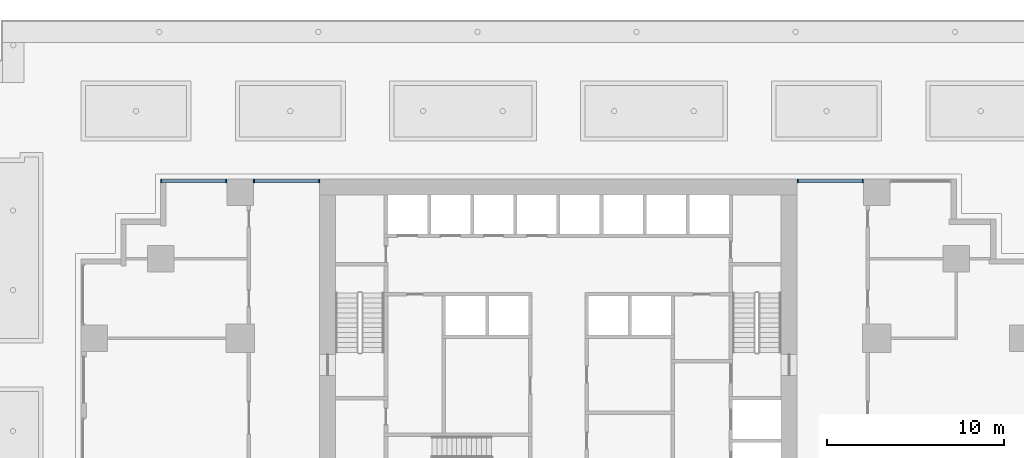
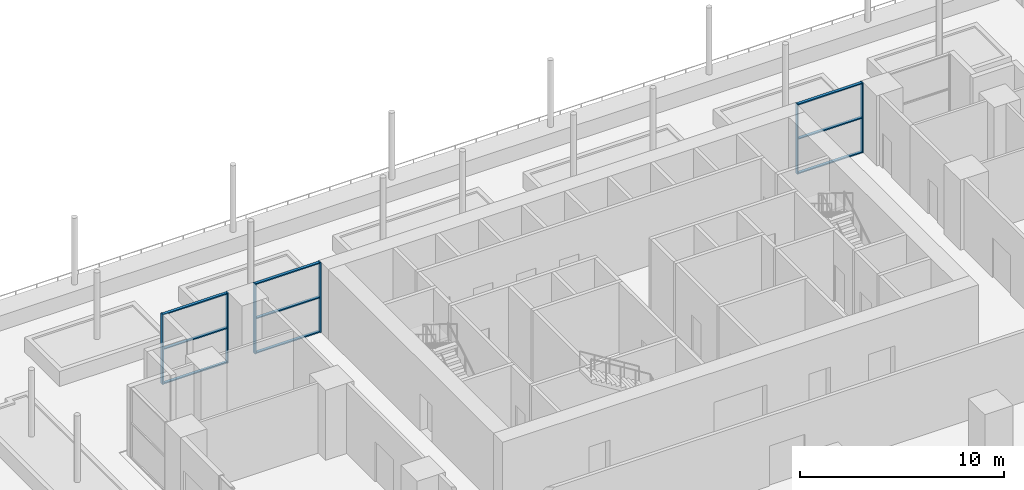
# One storey, part 6 of 18: 15 members, 3 elements without a shape of their own.
"""IFC4 building model written with IfcOpenShell, lengths in metres."""

from ifc_helpers import new_model, si_unit, direction, frame, origin, origin_2d, place, context, subcontext, project, spatial, rectangle, extrude, material, material_profile, profile_set, type_object, element, aggregate, save


model = new_model("IFC4")

# Units and contexts
model_context = context("Model", 3, precision=1e-05, world=origin(), true_north=direction((0.0, 1.0)))
body_context = subcontext(model_context, "Body", "Model", "MODEL_VIEW")
ifc_project = project(units=[si_unit("LENGTHUNIT", "METRE"), si_unit("AREAUNIT", "SQUARE_METRE"), si_unit("VOLUMEUNIT", "CUBIC_METRE"), si_unit("PLANEANGLEUNIT", "RADIAN"), si_unit("MASSUNIT", "GRAM", prefix="KILO")], contexts=[model_context])

# Site, building, storey
site_placement = place(None, origin())
site = spatial("IfcSite", under=ifc_project, at=site_placement, CompositionType="ELEMENT")
building_placement = place(site_placement, origin())
building = spatial("IfcBuilding", under=site, at=building_placement, Name="Orbiselva Terraces", CompositionType="ELEMENT")
storey_placement = place(building_placement, frame((0.0, 0.0, 10.5)))
storey = spatial("IfcBuildingStorey", under=building, at=storey_placement, Name="L02", CompositionType="ELEMENT", Elevation=10.5)

# Curtain wall, members
ifc_material_1 = material(Name="Clear low-e glazing in aluminium frame", Category="aluminium")
curtain_wall_type = type_object("IfcCurtainWallType", Name="ENV-CW-PAVILION", PredefinedType="NOTDEFINED", material=ifc_material_1)
curtain_wall_1_placement = place(storey_placement, origin())
curtain_wall_1 = element("IfcCurtainWall", 1, at=curtain_wall_1_placement, inside=storey, type_object=curtain_wall_type, Name="Curtain wall L02 NE", PredefinedType="NOTDEFINED")
ifc_material_2 = material(Name="Anodised aluminium", Category="aluminium")
ifc_material_profile_1 = material_profile(ifc_material_2, rectangle(XDim=0.2, YDim=0.065, at=origin_2d()), Name="AL 65x200")
ifc_profile_set_1 = profile_set([ifc_material_profile_1], Name="Anodised aluminium")
member_type_1 = type_object("IfcMemberType", Name="ENV-CW-PAVILION-MULLION-65x200", PredefinedType="MULLION", material=ifc_profile_set_1)
member_1_placement = place(storey_placement, frame((17.2175, 22.4, 0.0), z_axis=(0.0, 0.0, 1.0), x_axis=(0.0, -1.0, 0.0)))
member_1 = element("IfcMember", 2, at=member_1_placement, type_object=member_type_1, Name="CW2 mullion 1", PredefinedType="MULLION", context=body_context, shape_type="SweptSolid", body=[
    extrude(rectangle(XDim=0.2, YDim=0.065, at=origin_2d()), origin(), (0.0, 0.0, 1.0), 4.2),
])
member_2_placement = place(storey_placement, frame((13.5325, 22.4, 0.0), z_axis=(0.0, 0.0, 1.0), x_axis=(0.0, -1.0, 0.0)))
member_2 = element("IfcMember", 3, at=member_2_placement, type_object=member_type_1, Name="CW2 mullion 2", PredefinedType="MULLION", context=body_context, shape_type="SweptSolid", body=[
    extrude(rectangle(XDim=0.2, YDim=0.065, at=origin_2d()), origin(), (0.0, 0.0, 1.0), 4.2),
])

curtain_wall_2_placement = place(storey_placement, origin())
curtain_wall_2 = element("IfcCurtainWall", 4, at=curtain_wall_2_placement, inside=storey, type_object=curtain_wall_type, Name="Curtain wall L02 NW", PredefinedType="NOTDEFINED")
member_3_placement = place(storey_placement, frame((-13.5325, 22.4, 0.0), z_axis=(0.0, 0.0, 1.0), x_axis=(0.0, -1.0, 0.0)))
member_3 = element("IfcMember", 5, at=member_3_placement, type_object=member_type_1, Name="CW2 mullion 1", PredefinedType="MULLION", context=body_context, shape_type="SweptSolid", body=[
    extrude(rectangle(XDim=0.2, YDim=0.065, at=origin_2d()), origin(), (0.0, 0.0, 1.0), 4.2),
])
member_4_placement = place(storey_placement, frame((-17.2175, 22.4, 0.0), z_axis=(0.0, 0.0, 1.0), x_axis=(0.0, -1.0, 0.0)))
member_4 = element("IfcMember", 6, at=member_4_placement, type_object=member_type_1, Name="CW2 mullion 2", PredefinedType="MULLION", context=body_context, shape_type="SweptSolid", body=[
    extrude(rectangle(XDim=0.2, YDim=0.065, at=origin_2d()), origin(), (0.0, 0.0, 1.0), 4.2),
])

curtain_wall_3_placement = place(storey_placement, origin())
curtain_wall_3 = element("IfcCurtainWall", 7, at=curtain_wall_3_placement, inside=storey, type_object=curtain_wall_type, Name="Curtain wall L02 NW", PredefinedType="NOTDEFINED")
member_5_placement = place(storey_placement, frame((-18.7825, 22.4, 0.0), z_axis=(0.0, 0.0, 1.0), x_axis=(0.0, -1.0, 0.0)))
member_5 = element("IfcMember", 8, at=member_5_placement, type_object=member_type_1, Name="CW2 mullion 1", PredefinedType="MULLION", context=body_context, shape_type="SweptSolid", body=[
    extrude(rectangle(XDim=0.2, YDim=0.065, at=origin_2d()), origin(), (0.0, 0.0, 1.0), 4.2),
])
member_6_placement = place(storey_placement, frame((-22.4675, 22.4, 0.0), z_axis=(0.0, 0.0, 1.0), x_axis=(0.0, -1.0, 0.0)))
member_6 = element("IfcMember", 9, at=member_6_placement, type_object=member_type_1, Name="CW2 mullion 2", PredefinedType="MULLION", context=body_context, shape_type="SweptSolid", body=[
    extrude(rectangle(XDim=0.2, YDim=0.065, at=origin_2d()), origin(), (0.0, 0.0, 1.0), 4.2),
])

# Member
ifc_material_profile_2 = material_profile(ifc_material_2, rectangle(XDim=0.16, YDim=0.065, at=origin_2d()), Name="AL 65x160")
ifc_profile_set_2 = profile_set([ifc_material_profile_2], Name="Anodised aluminium")
member_type_2 = type_object("IfcMemberType", Name="ENV-CW-PAVILION-TRANSOM-65x160", PredefinedType="USERDEFINED", material=ifc_profile_set_2)
member_7_placement = place(storey_placement, frame((17.185, 22.4, 0.0325), z_axis=(-1.0, 0.0, 0.0), x_axis=(0.0, -1.0, 0.0)))
member_7 = element("IfcMember", 10, at=member_7_placement, type_object=member_type_2, Name="CW2 transom 1.1", ObjectType="TRANSOM", PredefinedType="USERDEFINED", context=body_context, shape_type="SweptSolid", body=[
    extrude(rectangle(XDim=0.16, YDim=0.065, at=origin_2d()), origin(), (0.0, 0.0, 1.0), 3.62),
])

member_8_placement = place(storey_placement, frame((17.185, 22.4, 2.1), z_axis=(-1.0, 0.0, 0.0), x_axis=(0.0, -1.0, 0.0)))
member_8 = element("IfcMember", 11, at=member_8_placement, type_object=member_type_2, Name="CW2 transom 1.2", ObjectType="TRANSOM", PredefinedType="USERDEFINED", context=body_context, shape_type="SweptSolid", body=[
    extrude(rectangle(XDim=0.16, YDim=0.065, at=origin_2d()), origin(), (0.0, 0.0, 1.0), 3.62),
])

member_9_placement = place(storey_placement, frame((17.185, 22.4, 4.1675), z_axis=(-1.0, 0.0, 0.0), x_axis=(0.0, -1.0, 0.0)))
member_9 = element("IfcMember", 12, at=member_9_placement, type_object=member_type_2, Name="CW2 transom 1.3", ObjectType="TRANSOM", PredefinedType="USERDEFINED", context=body_context, shape_type="SweptSolid", body=[
    extrude(rectangle(XDim=0.16, YDim=0.065, at=origin_2d()), origin(), (0.0, 0.0, 1.0), 3.62),
])

aggregate(curtain_wall_1, [member_1, member_2, member_7, member_8, member_9])

member_10_placement = place(storey_placement, frame((-13.565, 22.4, 0.0325), z_axis=(-1.0, 0.0, 0.0), x_axis=(0.0, -1.0, 0.0)))
member_10 = element("IfcMember", 13, at=member_10_placement, type_object=member_type_2, Name="CW2 transom 1.1", ObjectType="TRANSOM", PredefinedType="USERDEFINED", context=body_context, shape_type="SweptSolid", body=[
    extrude(rectangle(XDim=0.16, YDim=0.065, at=origin_2d()), origin(), (0.0, 0.0, 1.0), 3.62),
])

member_11_placement = place(storey_placement, frame((-13.565, 22.4, 2.1), z_axis=(-1.0, 0.0, 0.0), x_axis=(0.0, -1.0, 0.0)))
member_11 = element("IfcMember", 14, at=member_11_placement, type_object=member_type_2, Name="CW2 transom 1.2", ObjectType="TRANSOM", PredefinedType="USERDEFINED", context=body_context, shape_type="SweptSolid", body=[
    extrude(rectangle(XDim=0.16, YDim=0.065, at=origin_2d()), origin(), (0.0, 0.0, 1.0), 3.62),
])

member_12_placement = place(storey_placement, frame((-13.565, 22.4, 4.1675), z_axis=(-1.0, 0.0, 0.0), x_axis=(0.0, -1.0, 0.0)))
member_12 = element("IfcMember", 15, at=member_12_placement, type_object=member_type_2, Name="CW2 transom 1.3", ObjectType="TRANSOM", PredefinedType="USERDEFINED", context=body_context, shape_type="SweptSolid", body=[
    extrude(rectangle(XDim=0.16, YDim=0.065, at=origin_2d()), origin(), (0.0, 0.0, 1.0), 3.62),
])

aggregate(curtain_wall_2, [member_3, member_4, member_10, member_11, member_12])

member_13_placement = place(storey_placement, frame((-18.815, 22.4, 0.0325), z_axis=(-1.0, 0.0, 0.0), x_axis=(0.0, -1.0, 0.0)))
member_13 = element("IfcMember", 16, at=member_13_placement, type_object=member_type_2, Name="CW2 transom 1.1", ObjectType="TRANSOM", PredefinedType="USERDEFINED", context=body_context, shape_type="SweptSolid", body=[
    extrude(rectangle(XDim=0.16, YDim=0.065, at=origin_2d()), origin(), (0.0, 0.0, 1.0), 3.62),
])

member_14_placement = place(storey_placement, frame((-18.815, 22.4, 2.1), z_axis=(-1.0, 0.0, 0.0), x_axis=(0.0, -1.0, 0.0)))
member_14 = element("IfcMember", 17, at=member_14_placement, type_object=member_type_2, Name="CW2 transom 1.2", ObjectType="TRANSOM", PredefinedType="USERDEFINED", context=body_context, shape_type="SweptSolid", body=[
    extrude(rectangle(XDim=0.16, YDim=0.065, at=origin_2d()), origin(), (0.0, 0.0, 1.0), 3.62),
])

member_15_placement = place(storey_placement, frame((-18.815, 22.4, 4.1675), z_axis=(-1.0, 0.0, 0.0), x_axis=(0.0, -1.0, 0.0)))
member_15 = element("IfcMember", 18, at=member_15_placement, type_object=member_type_2, Name="CW2 transom 1.3", ObjectType="TRANSOM", PredefinedType="USERDEFINED", context=body_context, shape_type="SweptSolid", body=[
    extrude(rectangle(XDim=0.16, YDim=0.065, at=origin_2d()), origin(), (0.0, 0.0, 1.0), 3.62),
])

aggregate(curtain_wall_3, [member_5, member_6, member_13, member_14, member_15])

save(model, "model.ifc")
